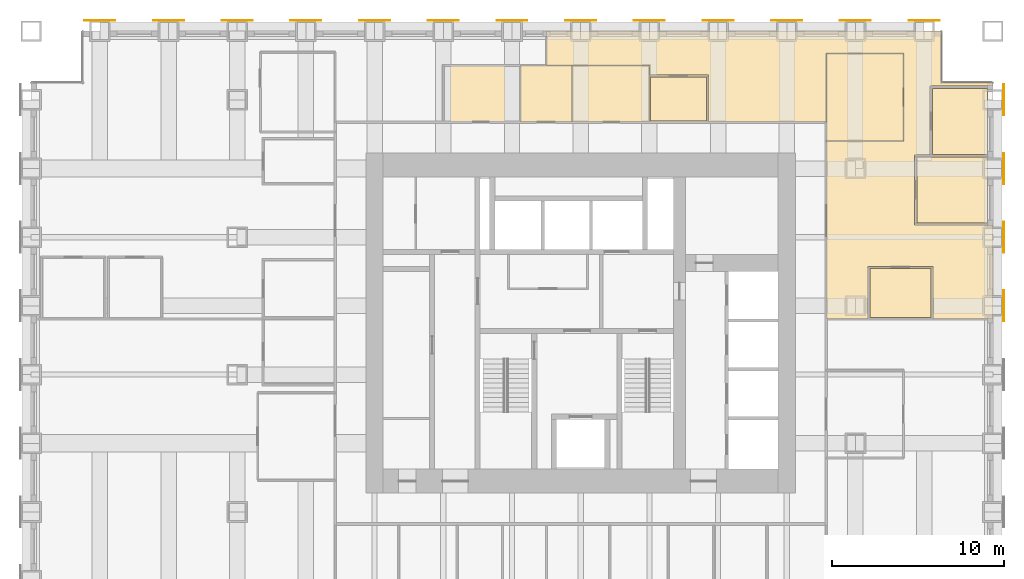
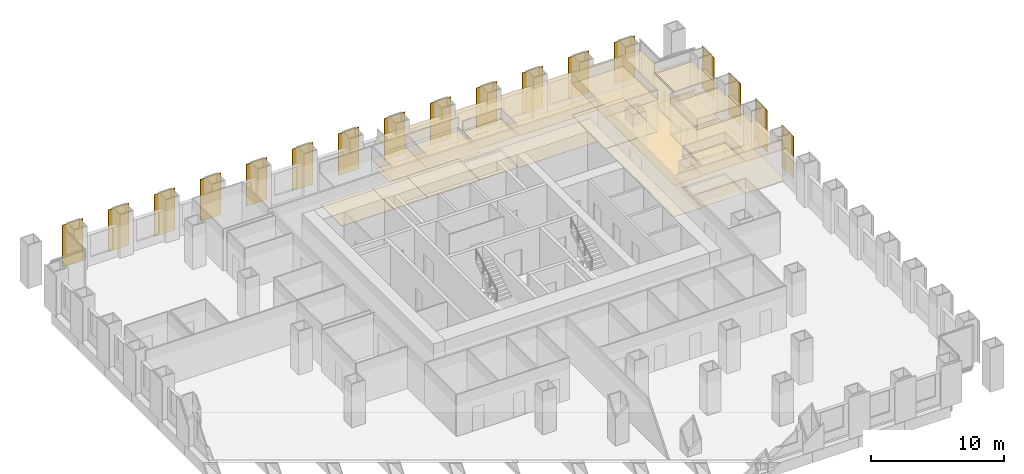
# One storey, part 15 of 15: 17 coverings, 17 shading devices.
"""IFC4 building model written with IfcOpenShell, lengths in metres."""

from ifc_helpers import new_model, si_unit, direction, frame, origin, origin_2d, place, context, subcontext, project, spatial, polyline, rectangle, outline, extrude, material, layer, layer_set, type_object, element, save


model = new_model("IFC4")

# Units and contexts
model_context = context("Model", 3, precision=1e-05, world=origin(), true_north=direction((0.0, 1.0)))
body_context = subcontext(model_context, "Body", "Model", "MODEL_VIEW")
ifc_project = project(units=[si_unit("LENGTHUNIT", "METRE"), si_unit("AREAUNIT", "SQUARE_METRE"), si_unit("VOLUMEUNIT", "CUBIC_METRE"), si_unit("PLANEANGLEUNIT", "RADIAN"), si_unit("MASSUNIT", "GRAM", prefix="KILO")], contexts=[model_context])

# Site, building, storey
site_placement = place(None, origin())
site = spatial("IfcSite", under=ifc_project, at=site_placement, CompositionType="ELEMENT")
building_placement = place(site_placement, origin())
building = spatial("IfcBuilding", under=site, at=building_placement, Name="Rimbunsela Tower", CompositionType="ELEMENT")
storey_placement = place(building_placement, frame((0.0, 0.0, 19.0)))
storey = spatial("IfcBuildingStorey", under=building, at=storey_placement, Name="L04", CompositionType="ELEMENT", Elevation=19.0)

# Coverings
ifc_material_1 = material(Name="Nylon carpet tile", Category="textile")
ifc_layer_1 = layer(ifc_material_1, 0.010009765625)
ifc_layer_set_1 = layer_set([ifc_layer_1], Name="Carpet tile 10")
covering_type_1 = type_object("IfcCoveringType", Name="Carpet tile 10", PredefinedType="FLOORING", material=ifc_layer_set_1)
covering_1_placement = place(storey_placement, origin())
element("IfcCovering", 1, at=covering_1_placement, inside=storey, type_object=covering_type_1, Name="Floor finish Open office", PredefinedType="FLOORING", context=body_context, shape_type="SweptSolid", body=[
    extrude(outline(polyline([(44.300048828125, 38.699951171875), (37.449951171875, 38.699951171875), (37.449951171875, 41.449951171875), (34.0, 41.449951171875), (34.0, 42.0), (28.0009765625, 42.0), (28.0009765625, 44.0), (44.300048828125, 44.0), (51.0, 44.0), (51.0, 41.0), (54.0, 41.0), (54.0, 40.800048828125), (50.35009765625, 40.800048828125), (50.35009765625, 36.800048828125), (49.449951171875, 36.800048828125), (49.449951171875, 32.699951171875), (54.0, 32.699951171875), (54.0, 27.2509765625), (50.52490234375, 27.2509765625), (50.52490234375, 30.300048828125), (46.72509765625, 30.300048828125), (46.72509765625, 27.2509765625), (44.300048828125, 27.2509765625), (44.300048828125, 37.60009765625), (48.800048828125, 37.60009765625), (48.800048828125, 42.699951171875), (44.300048828125, 42.699951171875), (44.300048828125, 38.699951171875)])), origin(), (0.0, 0.0, 1.0), 0.010009765625),
])
covering_2_placement = place(storey_placement, origin())
element("IfcCovering", 2, at=covering_2_placement, inside=storey, type_object=covering_type_1, Name="Floor finish Reception", PredefinedType="FLOORING", context=body_context, shape_type="SweptSolid", body=[
    extrude(outline(polyline([(48.800048828125, 37.60009765625), (48.800048828125, 42.699951171875), (44.300048828125, 42.699951171875), (44.300048828125, 37.60009765625), (48.800048828125, 37.60009765625)])), origin(), (0.0, 0.0, 1.0), 0.010009765625),
])
covering_3_placement = place(storey_placement, origin())
element("IfcCovering", 3, at=covering_3_placement, inside=storey, type_object=covering_type_1, Name="Floor finish Executive office", PredefinedType="FLOORING", context=body_context, shape_type="SweptSolid", body=[
    extrude(outline(polyline([(53.699951171875, 32.824951171875), (53.699951171875, 36.675048828125), (49.574951171875, 36.675048828125), (49.574951171875, 32.824951171875), (53.699951171875, 32.824951171875)])), origin(), (0.0, 0.0, 1.0), 0.010009765625),
])
covering_4_placement = place(storey_placement, origin())
element("IfcCovering", 4, at=covering_4_placement, inside=storey, type_object=covering_type_1, Name="Floor finish Print and copy room", PredefinedType="FLOORING", context=body_context, shape_type="SweptSolid", body=[
    extrude(outline(polyline([(53.699951171875, 36.824951171875), (53.699951171875, 40.675048828125), (50.47509765625, 40.675048828125), (50.47509765625, 36.824951171875), (53.699951171875, 36.824951171875)])), origin(), (0.0, 0.0, 1.0), 0.010009765625),
])
covering_5_placement = place(storey_placement, origin())
element("IfcCovering", 5, at=covering_5_placement, inside=storey, type_object=covering_type_1, Name="Floor finish Meeting room", PredefinedType="FLOORING", context=body_context, shape_type="SweptSolid", body=[
    extrude(outline(polyline([(50.39990234375, 27.324951171875), (50.39990234375, 30.175048828125), (46.85009765625, 30.175048828125), (46.85009765625, 27.324951171875), (50.39990234375, 27.324951171875)])), origin(), (0.0, 0.0, 1.0), 0.010009765625),
])
covering_6_placement = place(storey_placement, origin())
element("IfcCovering", 6, at=covering_6_placement, inside=storey, type_object=covering_type_1, Name="Floor finish Pantry", PredefinedType="FLOORING", context=body_context, shape_type="SweptSolid", body=[
    extrude(outline(polyline([(37.324951171875, 38.77490234375), (37.324951171875, 41.324951171875), (34.074951171875, 41.324951171875), (34.074951171875, 38.77490234375), (37.324951171875, 38.77490234375)])), origin(), (0.0, 0.0, 1.0), 0.010009765625),
])
ifc_material_2 = material(Name="Mineral fibre ceiling tile", Category="gypsum")
ifc_layer_2 = layer(ifc_material_2, 0.02001953125)
ifc_layer_set_2 = layer_set([ifc_layer_2], Name="Ceiling 600 grid")
covering_type_2 = type_object("IfcCoveringType", Name="Ceiling 600 grid", PredefinedType="CEILING", material=ifc_layer_set_2)
covering_7_placement = place(storey_placement, frame((0.0, 0.0, 2.89990234375)))
element("IfcCovering", 7, at=covering_7_placement, inside=storey, type_object=covering_type_2, Name="Ceiling Open office", PredefinedType="CEILING", context=body_context, shape_type="SweptSolid", body=[
    extrude(outline(polyline([(44.300048828125, 38.699951171875), (37.449951171875, 38.699951171875), (37.449951171875, 41.449951171875), (34.0, 41.449951171875), (34.0, 42.0), (28.0009765625, 42.0), (28.0009765625, 44.0), (44.300048828125, 44.0), (51.0, 44.0), (51.0, 41.0), (54.0, 41.0), (54.0, 40.800048828125), (50.35009765625, 40.800048828125), (50.35009765625, 36.800048828125), (49.449951171875, 36.800048828125), (49.449951171875, 32.699951171875), (54.0, 32.699951171875), (54.0, 27.2509765625), (50.52490234375, 27.2509765625), (50.52490234375, 30.300048828125), (46.72509765625, 30.300048828125), (46.72509765625, 27.2509765625), (44.300048828125, 27.2509765625), (44.300048828125, 37.60009765625), (48.800048828125, 37.60009765625), (48.800048828125, 42.699951171875), (44.300048828125, 42.699951171875), (44.300048828125, 38.699951171875)])), origin(), (0.0, 0.0, 1.0), 0.02001953125),
])
covering_8_placement = place(storey_placement, frame((0.0, 0.0, 2.89990234375)))
element("IfcCovering", 8, at=covering_8_placement, inside=storey, type_object=covering_type_2, Name="Ceiling Reception", PredefinedType="CEILING", context=body_context, shape_type="SweptSolid", body=[
    extrude(outline(polyline([(48.800048828125, 37.60009765625), (48.800048828125, 42.699951171875), (44.300048828125, 42.699951171875), (44.300048828125, 37.60009765625), (48.800048828125, 37.60009765625)])), origin(), (0.0, 0.0, 1.0), 0.02001953125),
])
covering_9_placement = place(storey_placement, frame((0.0, 0.0, 2.89990234375)))
element("IfcCovering", 9, at=covering_9_placement, inside=storey, type_object=covering_type_2, Name="Ceiling Executive office", PredefinedType="CEILING", context=body_context, shape_type="SweptSolid", body=[
    extrude(outline(polyline([(53.699951171875, 32.824951171875), (53.699951171875, 36.675048828125), (49.574951171875, 36.675048828125), (49.574951171875, 32.824951171875), (53.699951171875, 32.824951171875)])), origin(), (0.0, 0.0, 1.0), 0.02001953125),
])
covering_10_placement = place(storey_placement, frame((0.0, 0.0, 2.89990234375)))
element("IfcCovering", 10, at=covering_10_placement, inside=storey, type_object=covering_type_2, Name="Ceiling Print and copy room", PredefinedType="CEILING", context=body_context, shape_type="SweptSolid", body=[
    extrude(outline(polyline([(53.699951171875, 36.824951171875), (53.699951171875, 40.675048828125), (50.47509765625, 40.675048828125), (50.47509765625, 36.824951171875), (53.699951171875, 36.824951171875)])), origin(), (0.0, 0.0, 1.0), 0.02001953125),
])
covering_11_placement = place(storey_placement, frame((0.0, 0.0, 2.89990234375)))
element("IfcCovering", 11, at=covering_11_placement, inside=storey, type_object=covering_type_2, Name="Ceiling Meeting room", PredefinedType="CEILING", context=body_context, shape_type="SweptSolid", body=[
    extrude(outline(polyline([(50.39990234375, 27.324951171875), (50.39990234375, 30.175048828125), (46.85009765625, 30.175048828125), (46.85009765625, 27.324951171875), (50.39990234375, 27.324951171875)])), origin(), (0.0, 0.0, 1.0), 0.02001953125),
])
covering_12_placement = place(storey_placement, frame((0.0, 0.0, 2.89990234375)))
element("IfcCovering", 12, at=covering_12_placement, inside=storey, type_object=covering_type_2, Name="Ceiling Pantry", PredefinedType="CEILING", context=body_context, shape_type="SweptSolid", body=[
    extrude(outline(polyline([(37.324951171875, 38.77490234375), (37.324951171875, 41.324951171875), (34.074951171875, 41.324951171875), (34.074951171875, 38.77490234375), (37.324951171875, 38.77490234375)])), origin(), (0.0, 0.0, 1.0), 0.02001953125),
])
ifc_material_3 = material(Name="Moisture-resistant plasterboard ceiling", Category="gypsum")
ifc_layer_3 = layer(ifc_material_3, 0.012451171875)
ifc_layer_set_3 = layer_set([ifc_layer_3], Name="Ceiling moisture-resistant board")
covering_type_3 = type_object("IfcCoveringType", Name="Ceiling moisture-resistant board", PredefinedType="CEILING", material=ifc_layer_set_3)
covering_13_placement = place(storey_placement, frame((0.0, 0.0, 2.60009765625)))
element("IfcCovering", 13, at=covering_13_placement, inside=storey, type_object=covering_type_3, Name="Ceiling Accessible WC", PredefinedType="CEILING", context=body_context, shape_type="SweptSolid", body=[
    extrude(outline(polyline([(29.5, 38.699951171875), (29.5, 42.0), (26.5, 42.0), (26.5, 38.699951171875), (29.5, 38.699951171875)])), origin(), (0.0, 0.0, 1.0), 0.02001953125),
])
covering_14_placement = place(storey_placement, frame((0.0, 0.0, 2.60009765625)))
element("IfcCovering", 14, at=covering_14_placement, inside=storey, type_object=covering_type_3, Name="Ceiling Male WC", PredefinedType="CEILING", context=body_context, shape_type="SweptSolid", body=[
    extrude(outline(polyline([(34.0, 38.699951171875), (34.0, 42.0), (29.5, 42.0), (29.5, 38.699951171875), (34.0, 38.699951171875)])), origin(), (0.0, 0.0, 1.0), 0.02001953125),
])
ifc_material_4 = material(Name="Porcelain floor tile in adhesive bed", Category="ceramic")
ifc_layer_4 = layer(ifc_material_4, 0.02001953125)
ifc_layer_set_4 = layer_set([ifc_layer_4], Name="Porcelain tile 20")
covering_type_4 = type_object("IfcCoveringType", Name="Porcelain tile 20", PredefinedType="FLOORING", material=ifc_layer_set_4)
covering_15_placement = place(storey_placement, origin())
element("IfcCovering", 15, at=covering_15_placement, inside=storey, type_object=covering_type_4, Name="Floor finish Female WC", PredefinedType="FLOORING", context=body_context, shape_type="SweptSolid", body=[
    extrude(outline(polyline([(26.5, 38.699951171875), (26.5, 42.0), (22.0, 42.0), (22.0, 38.699951171875), (26.5, 38.699951171875)])), origin(), (0.0, 0.0, 1.0), 0.02001953125),
])
covering_16_placement = place(storey_placement, origin())
element("IfcCovering", 16, at=covering_16_placement, inside=storey, type_object=covering_type_4, Name="Floor finish Accessible WC", PredefinedType="FLOORING", context=body_context, shape_type="SweptSolid", body=[
    extrude(outline(polyline([(29.5, 38.699951171875), (29.5, 42.0), (26.5, 42.0), (26.5, 38.699951171875), (29.5, 38.699951171875)])), origin(), (0.0, 0.0, 1.0), 0.02001953125),
])
covering_17_placement = place(storey_placement, origin())
element("IfcCovering", 17, at=covering_17_placement, inside=storey, type_object=covering_type_4, Name="Floor finish Male WC", PredefinedType="FLOORING", context=body_context, shape_type="SweptSolid", body=[
    extrude(outline(polyline([(34.0, 38.699951171875), (34.0, 42.0), (29.5, 42.0), (29.5, 38.699951171875), (34.0, 38.699951171875)])), origin(), (0.0, 0.0, 1.0), 0.02001953125),
])

# Shading devices
ifc_material_5 = material(Name="Perforated aluminium, 35 % open area", Category="aluminium")
ifc_layer_5 = layer(ifc_material_5, 0.050048828125)
ifc_layer_set_5 = layer_set([ifc_layer_5], Name="Solar screen panel 1800")
shading_device_type = type_object("IfcShadingDeviceType", Name="Solar screen panel 1800", PredefinedType="USERDEFINED", material=ifc_layer_set_5)
for number, where, z_axis, x_axis, name in (
    (18, (54.625, 28.0, 0.0), (0.0, 0.0, 1.0), (0.0, 1.0, 0.0), "Solar screen E L04"),
    (19, (54.625, 32.0, 0.0), (0.0, 0.0, 1.0), (0.0, 1.0, 0.0), "Solar screen E L04"),
    (20, (54.625, 36.0, 0.0), (0.0, 0.0, 1.0), (0.0, 1.0, 0.0), "Solar screen E L04"),
    (21, (54.625, 40.0, 0.0), (0.0, 0.0, 1.0), (0.0, 1.0, 0.0), "Solar screen E L04"),
    (22, (2.0, 44.625, 0.0), (0.0, 0.0, 1.0), (1.0, 0.0, 0.0), "Solar screen N L04"),
    (23, (6.0, 44.625, 0.0), (0.0, 0.0, 1.0), (1.0, 0.0, 0.0), "Solar screen N L04"),
    (24, (10.0, 44.625, 0.0), (0.0, 0.0, 1.0), (1.0, 0.0, 0.0), "Solar screen N L04"),
    (25, (14.0, 44.625, 0.0), (0.0, 0.0, 1.0), (1.0, 0.0, 0.0), "Solar screen N L04"),
    (26, (18.0, 44.625, 0.0), (0.0, 0.0, 1.0), (1.0, 0.0, 0.0), "Solar screen N L04"),
    (27, (22.0, 44.625, 0.0), (0.0, 0.0, 1.0), (1.0, 0.0, 0.0), "Solar screen N L04"),
    (28, (26.0, 44.625, 0.0), (0.0, 0.0, 1.0), (1.0, 0.0, 0.0), "Solar screen N L04"),
    (29, (30.0, 44.625, 0.0), (0.0, 0.0, 1.0), (1.0, 0.0, 0.0), "Solar screen N L04"),
    (30, (34.0, 44.625, 0.0), (0.0, 0.0, 1.0), (1.0, 0.0, 0.0), "Solar screen N L04"),
    (31, (38.0, 44.625, 0.0), (0.0, 0.0, 1.0), (1.0, 0.0, 0.0), "Solar screen N L04"),
    (32, (42.0, 44.625, 0.0), (0.0, 0.0, 1.0), (1.0, 0.0, 0.0), "Solar screen N L04"),
    (33, (46.0, 44.625, 0.0), (0.0, 0.0, 1.0), (1.0, 0.0, 0.0), "Solar screen N L04"),
    (34, (50.0, 44.625, 0.0), (0.0, 0.0, 1.0), (1.0, 0.0, 0.0), "Solar screen N L04"),
):
    element("IfcShadingDevice", number, at=place(storey_placement, frame(where, z_axis=z_axis, x_axis=x_axis)), inside=storey, type_object=shading_device_type, Name=name, ObjectType="SCREEN", PredefinedType="USERDEFINED", context=body_context, shape_type="SweptSolid", body=[
        extrude(rectangle(XDim=1.800048828125, YDim=0.050048828125, at=origin_2d()), origin(), (0.0, 0.0, 1.0), 3.85009765625),
    ])

save(model, "model.ifc")
